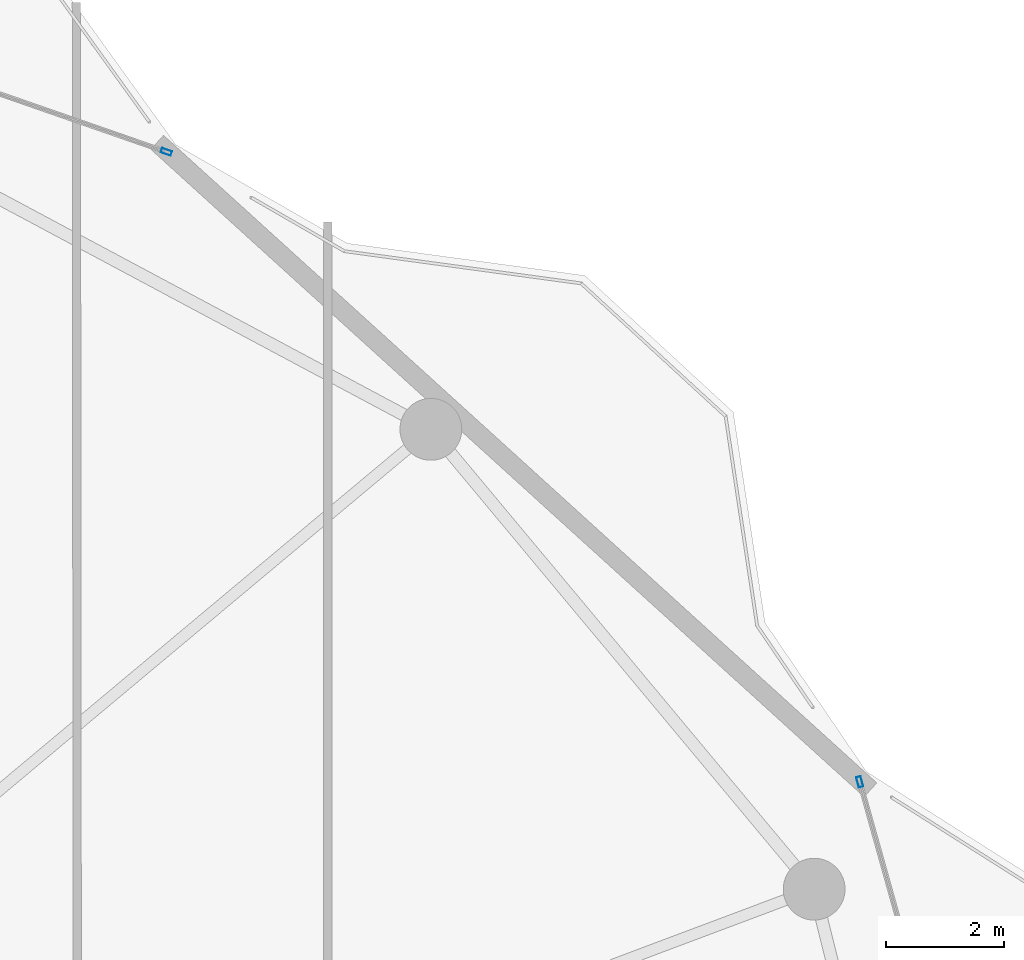
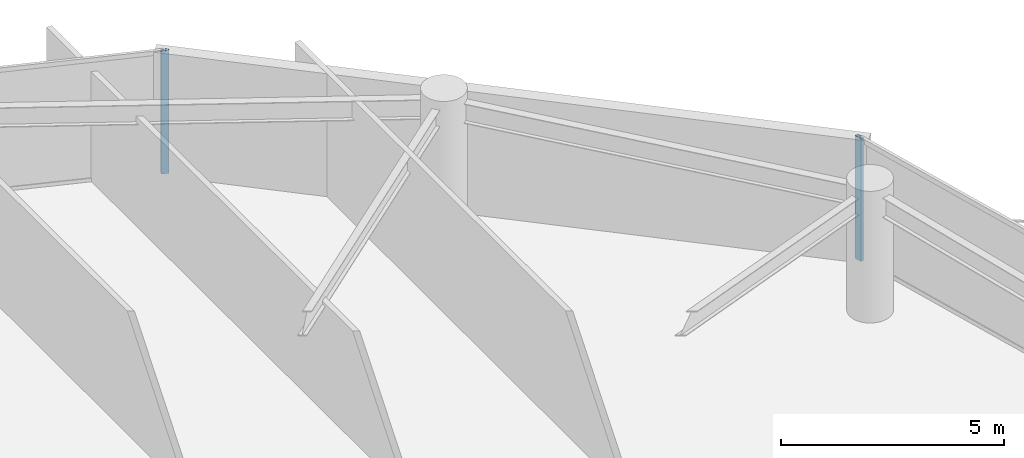
# One storey, part 21 of 29: 2 members, 2 elements without a shape of their own.
"""IFC4 building model written with IfcOpenShell, lengths in metres."""

from ifc_helpers import new_model, si_unit, direction, frame, origin, origin_2d, place, context, subcontext, project, spatial, hollow_rectangle, extrude, material, layer, layer_set, material_profile, profile_set, type_object, element, aggregate, save


model = new_model("IFC4")

# Units and contexts
model_context = context("Model", 3, precision=1e-05, world=origin(), true_north=direction((0.0, 1.0)))
body_context = subcontext(model_context, "Body", "Model", "MODEL_VIEW")
ifc_project = project(units=[si_unit("LENGTHUNIT", "METRE"), si_unit("AREAUNIT", "SQUARE_METRE"), si_unit("VOLUMEUNIT", "CUBIC_METRE"), si_unit("PLANEANGLEUNIT", "RADIAN"), si_unit("MASSUNIT", "GRAM", prefix="KILO")], contexts=[model_context])

# Site, building, storey
site_placement = place(None, origin())
site = spatial("IfcSite", under=ifc_project, at=site_placement, CompositionType="ELEMENT")
building_placement = place(site_placement, origin())
building = spatial("IfcBuilding", under=site, at=building_placement, Name="Kazevale Care Tower and Concert Hall", CompositionType="ELEMENT")
storey_placement = place(building_placement, frame((0.0, 0.0, 195.60009765625)))
storey = spatial("IfcBuildingStorey", under=building, at=storey_placement, Name="L51", CompositionType="ELEMENT", Elevation=195.60009765625)

# Curtain wall, member
ifc_material_1 = material(Name="Aluminium 6063-T6 and Low-E Glass", Category="aluminium")
ifc_layer_1 = layer(ifc_material_1, 0.179931640625)
ifc_layer_set_1 = layer_set([ifc_layer_1], Name="Aluminium 6063-T6 and Low-E Glass")
curtain_wall_type_1 = type_object("IfcCurtainWallType", Name="Convex Checkerboard Finned Curtain Wall CW-2", PredefinedType="NOTDEFINED", material=ifc_layer_set_1)
curtain_wall_1_placement = place(storey_placement, origin())
curtain_wall_1 = element("IfcCurtainWall", 1, at=curtain_wall_1_placement, inside=storey, type_object=curtain_wall_type_1, Name="cw:L51:f16", PredefinedType="NOTDEFINED")
ifc_material_2 = material(Name="Aluminium 6063-T6", Category="aluminium")
ifc_material_profile_1 = material_profile(ifc_material_2, hollow_rectangle(XDim=0.080078125, YDim=0.179931640625, WallThickness=0.0048828125, at=origin_2d()), Name="ALU80x180x5")
ifc_profile_set_1 = profile_set([ifc_material_profile_1], Name="Aluminium 6063-T6")
member_type_1 = type_object("IfcMemberType", Name="CW-2 Mullion ALU80x180x5", PredefinedType="MULLION", material=ifc_profile_set_1)
member_1_placement = place(storey_placement, frame((61.75732421875, 59.72216796875, 0.0), z_axis=(0.0, 0.0, 1.0), x_axis=(0.328583704497, 0.94447485363, 0.0)))
member_1 = element("IfcMember", 2, at=member_1_placement, type_object=member_type_1, Name="CW-2 mullion 2", PredefinedType="MULLION", context=body_context, shape_type="SweptSolid", body=[
    extrude(hollow_rectangle(XDim=0.080078125, YDim=0.179931640625, WallThickness=0.0048828125, at=origin_2d()), origin(), (0.0, 0.0, 1.0), 3.35986328125),
])
aggregate(curtain_wall_1, [member_1])

ifc_layer_2 = layer(ifc_material_1, 0.179931640625)
ifc_layer_set_2 = layer_set([ifc_layer_2], Name="Aluminium 6063-T6 and Low-E Glass")
curtain_wall_type_2 = type_object("IfcCurtainWallType", Name="Waist & Upper Residential Curtain Wall CW-4", PredefinedType="NOTDEFINED", material=ifc_layer_set_2)
curtain_wall_2_placement = place(storey_placement, origin())
curtain_wall_2 = element("IfcCurtainWall", 3, at=curtain_wall_2_placement, inside=storey, type_object=curtain_wall_type_2, Name="cw:L51:f18", PredefinedType="NOTDEFINED")
ifc_material_profile_2 = material_profile(ifc_material_2, hollow_rectangle(XDim=0.080078125, YDim=0.179931640625, WallThickness=0.0048828125, at=origin_2d()), Name="ALU80x180x5")
ifc_profile_set_2 = profile_set([ifc_material_profile_2], Name="Aluminium 6063-T6")
member_type_2 = type_object("IfcMemberType", Name="CW-4 Mullion ALU80x180x5", PredefinedType="MULLION", material=ifc_profile_set_2)
member_2_placement = place(storey_placement, frame((73.53369140625, 49.0234375, 0.0), z_axis=(0.0, 0.0, 1.0), x_axis=(0.962972156211, 0.269600864915, 0.0)))
member_2 = element("IfcMember", 4, at=member_2_placement, type_object=member_type_2, Name="CW-4 mullion 1", PredefinedType="MULLION", context=body_context, shape_type="SweptSolid", body=[
    extrude(hollow_rectangle(XDim=0.080078125, YDim=0.179931640625, WallThickness=0.0048828125, at=origin_2d()), origin(), (0.0, 0.0, 1.0), 3.35986328125),
])
aggregate(curtain_wall_2, [member_2])

save(model, "model.ifc")
